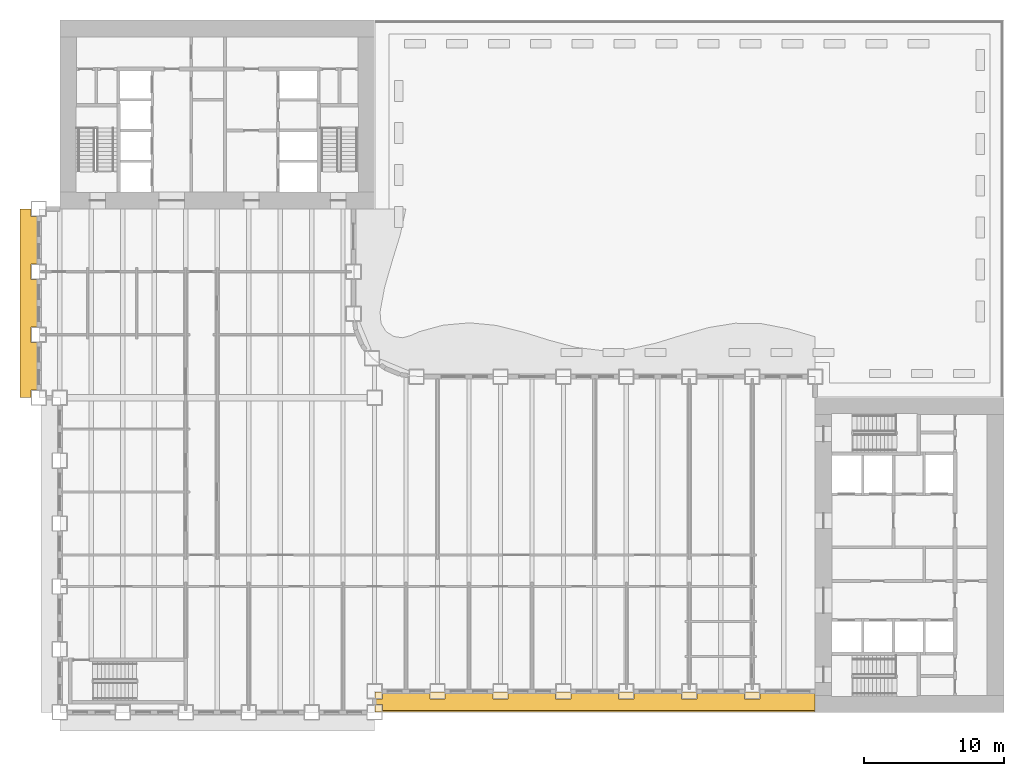
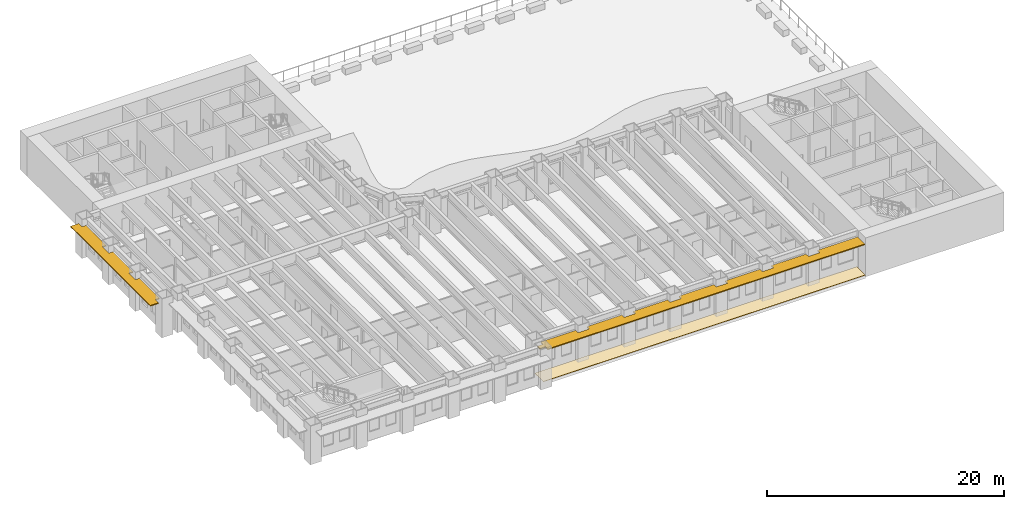
# One storey, part 12 of 18: 2 shading devices, 1 covering.
"""IFC4 building model written with IfcOpenShell, lengths in metres."""

from ifc_helpers import new_model, si_unit, direction, frame, origin, place, context, subcontext, project, spatial, polyline, outline, extrude, material, layer, layer_set, type_object, element, save


model = new_model("IFC4")

# Units and contexts
model_context = context("Model", 3, precision=1e-05, world=origin(), true_north=direction((0.0, 1.0)))
body_context = subcontext(model_context, "Body", "Model", "MODEL_VIEW")
ifc_project = project(units=[si_unit("LENGTHUNIT", "METRE"), si_unit("AREAUNIT", "SQUARE_METRE"), si_unit("VOLUMEUNIT", "CUBIC_METRE"), si_unit("PLANEANGLEUNIT", "RADIAN"), si_unit("MASSUNIT", "GRAM", prefix="KILO")], contexts=[model_context])

# Site, building, storey
site_placement = place(None, origin())
site = spatial("IfcSite", under=ifc_project, at=site_placement, CompositionType="ELEMENT")
building_placement = place(site_placement, origin())
building = spatial("IfcBuilding", under=site, at=building_placement, Name="Sennacour Bend Tower", CompositionType="ELEMENT")
storey_placement = place(building_placement, frame((0.0, 0.0, 29.0)))
storey = spatial("IfcBuildingStorey", under=building, at=storey_placement, Name="L05", CompositionType="ELEMENT", Elevation=29.0)

# Covering
ifc_material_1 = material(Name="Bituminous roofing membrane")
ifc_layer_1 = layer(ifc_material_1, 0.0400390625, Name="Bituminous roofing membrane")
ifc_layer_set_1 = layer_set([ifc_layer_1], Name="Bituminous roofing membrane")
covering_type = type_object("IfcCoveringType", Name="COV-ROOFING-40", PredefinedType="ROOFING", material=ifc_layer_set_1)
covering_placement = place(storey_placement, origin())
element("IfcCovering", 1, at=covering_placement, inside=storey, type_object=covering_type, Name="Roofing Podium Roof", PredefinedType="ROOFING", context=body_context, shape_type="SweptSolid", body=[
    extrude(outline(polyline([(22.5400390625, 0.010009765625), (22.5400390625, 1.4599609375), (53.9599609375, 1.4599609375), (53.9599609375, 0.010009765625), (22.5400390625, 0.010009765625)])), origin(), (0.0, 0.0, 1.0), 0.0400390625),
])

# Shading devices
ifc_material_2 = material(Name="Bronze anodised aluminium", Category="aluminium")
ifc_layer_2 = layer(ifc_material_2, 0.10009765625, Name="Bronze anodised aluminium", Category="aluminium")
ifc_layer_set_2 = layer_set([ifc_layer_2], Name="Bronze anodised aluminium")
shading_device_type = type_object("IfcShadingDeviceType", Name="SUNSHADE BAND STRAIGHT", PredefinedType="USERDEFINED", material=ifc_layer_set_2)
shading_device_1_placement = place(storey_placement, frame((0.0, 0.0, 3.0439453125)))
element("IfcShadingDevice", 2, at=shading_device_1_placement, inside=storey, type_object=shading_device_type, Name="Sunshade band L05 A outer face", ObjectType="SUNSHADE", PredefinedType="USERDEFINED", context=body_context, shape_type="SweptSolid", body=[
    extrude(outline(polyline([(26.449951171875, 1.35009765625), (26.449951171875, 0.949951171875), (27.550048828125, 0.949951171875), (27.550048828125, 1.35009765625), (30.949951171875, 1.35009765625), (30.949951171875, 0.949951171875), (32.050048828125, 0.949951171875), (32.050048828125, 1.35009765625), (35.449951171875, 1.35009765625), (35.449951171875, 0.949951171875), (36.550048828125, 0.949951171875), (36.550048828125, 1.35009765625), (39.949951171875, 1.35009765625), (39.949951171875, 0.949951171875), (41.050048828125, 0.949951171875), (41.050048828125, 1.35009765625), (44.449951171875, 1.35009765625), (44.449951171875, 0.949951171875), (45.550048828125, 0.949951171875), (45.550048828125, 1.35009765625), (48.949951171875, 1.35009765625), (48.949951171875, 0.949951171875), (50.050048828125, 0.949951171875), (50.050048828125, 1.35009765625), (54.0, 1.35009765625), (54.0, 0.14990234375), (23.050048828125, 0.14990234375), (23.050048828125, 0.550048828125), (22.5, 0.550048828125), (22.5, 0.949951171875), (23.050048828125, 0.949951171875), (23.050048828125, 1.35009765625), (26.449951171875, 1.35009765625)])), origin(), (0.0, 0.0, 1.0), 0.10009765625),
])
shading_device_2_placement = place(storey_placement, frame((0.0, 0.0, 3.0439453125)))
element("IfcShadingDevice", 3, at=shading_device_2_placement, inside=storey, type_object=shading_device_type, Name="Sunshade band L05 B outer face", ObjectType="SUNSHADE", PredefinedType="USERDEFINED", context=body_context, shape_type="SweptSolid", body=[
    extrude(outline(polyline([(-1.64990234375, 32.050048828125), (-2.050048828125, 32.050048828125), (-2.050048828125, 30.949951171875), (-1.64990234375, 30.949951171875), (-1.64990234375, 27.550048828125), (-2.050048828125, 27.550048828125), (-2.050048828125, 26.449951171875), (-1.64990234375, 26.449951171875), (-1.64990234375, 23.050048828125), (-2.050048828125, 23.050048828125), (-2.050048828125, 22.5), (-2.85009765625, 22.5), (-2.85009765625, 36.0), (-2.050048828125, 36.0), (-2.050048828125, 35.449951171875), (-1.64990234375, 35.449951171875), (-1.64990234375, 32.050048828125)])), origin(), (0.0, 0.0, 1.0), 0.10009765625),
])

save(model, "model.ifc")
